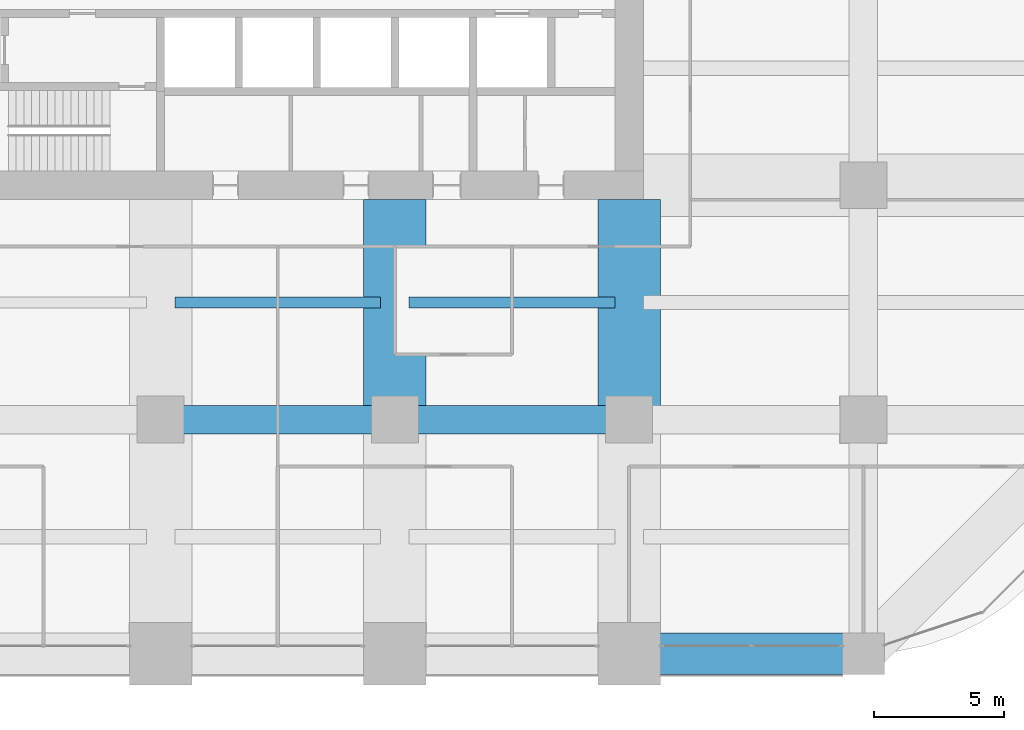
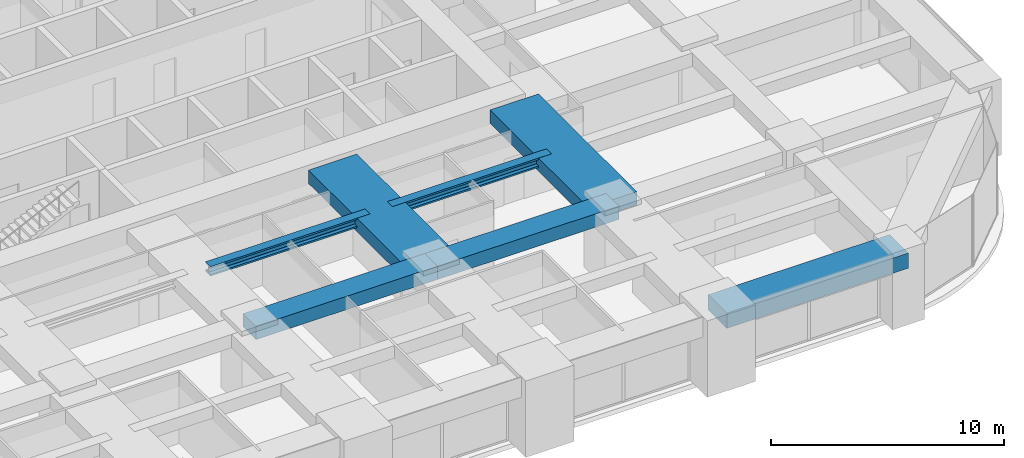
# One storey, part 15 of 42: 7 beams.
"""IFC4 building model written with IfcOpenShell, lengths in metres."""

from ifc_helpers import new_model, si_unit, direction, frame, origin, origin_2d, place, context, subcontext, project, spatial, rectangle, i_section, extrude, material, material_profile, profile_set, type_object, element, save


model = new_model("IFC4")

# Units and contexts
model_context = context("Model", 3, precision=1e-05, world=origin(), true_north=direction((0.0, 1.0)))
body_context = subcontext(model_context, "Body", "Model", "MODEL_VIEW")
ifc_project = project(units=[si_unit("LENGTHUNIT", "METRE"), si_unit("AREAUNIT", "SQUARE_METRE"), si_unit("VOLUMEUNIT", "CUBIC_METRE"), si_unit("PLANEANGLEUNIT", "RADIAN"), si_unit("MASSUNIT", "GRAM", prefix="KILO")], contexts=[model_context])

# Site, building, storey
site_placement = place(None, origin())
site = spatial("IfcSite", under=ifc_project, at=site_placement, CompositionType="ELEMENT")
building_placement = place(site_placement, origin())
building = spatial("IfcBuilding", under=site, at=building_placement, Name="Zorevar Civic Tower", CompositionType="ELEMENT")
storey_placement = place(building_placement, frame((0.0, 0.0, 149.0)))
storey = spatial("IfcBuildingStorey", under=building, at=storey_placement, Name="L36", CompositionType="ELEMENT", Elevation=149.0)

# Beams
ifc_material_1 = material(Name="Concrete C50/60", Category="concrete")
ifc_material_profile_1 = material_profile(ifc_material_1, rectangle(XDim=1.10009765625, YDim=0.699951171875, at=origin_2d()), Name="RC 1100x700")
ifc_profile_set_1 = profile_set([ifc_material_profile_1], Name="Concrete C50/60")
beam_type_1 = type_object("IfcBeamType", Name="Beam RC 1100x700", PredefinedType="BEAM", material=ifc_profile_set_1)
for number, where, z_axis, x_axis, name in (
    (1, (27.0, 9.0, 3.39990234375), (1.0, 0.0, 0.0), (0.0, 1.0, 0.0), "Girder L37"),
    (2, (36.0, 9.0, 3.39990234375), (1.0, 0.0, 0.0), (0.0, 1.0, 0.0), "Girder L37"),
):
    element("IfcBeam", number, at=place(storey_placement, frame(where, z_axis=z_axis, x_axis=x_axis)), inside=storey, type_object=beam_type_1, Name=name, PredefinedType="BEAM", context=body_context, shape_type="SweptSolid", body=[
        extrude(rectangle(XDim=1.10009765625, YDim=0.699951171875, at=origin_2d()), origin(), (0.0, 0.0, 1.0), 9.0),
    ])
ifc_material_2 = material(Name="Concrete C50/60", Category="concrete")
ifc_material_profile_2 = material_profile(ifc_material_2, rectangle(XDim=2.39990234375, YDim=0.699951171875, at=origin_2d()), Name="RC 2400x700")
ifc_profile_set_2 = profile_set([ifc_material_profile_2], Name="Concrete C50/60")
beam_type_2 = type_object("IfcBeamType", Name="Beam RC 2400x700", PredefinedType="BEAM", material=ifc_profile_set_2)
for number, where, z_axis, x_axis, name in (
    (3, (36.0, 9.0, 3.39990234375), (0.0, 1.0, 0.0), (-1.0, 0.0, 0.0), "Girder L37"),
    (4, (45.0, 9.0, 3.39990234375), (0.0, 1.0, 0.0), (-1.0, 0.0, 0.0), "Girder L37"),
):
    element("IfcBeam", number, at=place(storey_placement, frame(where, z_axis=z_axis, x_axis=x_axis)), inside=storey, type_object=beam_type_2, Name=name, PredefinedType="BEAM", context=body_context, shape_type="SweptSolid", body=[
        extrude(rectangle(XDim=2.39990234375, YDim=0.699951171875, at=origin_2d()), origin(), (0.0, 0.0, 1.0), 8.449951171875),
    ])
ifc_material_3 = material(Name="Steel S460M (HISTAR 460)", Category="steel")
ifc_material_profile_3 = material_profile(ifc_material_3, i_section(OverallWidth=0.431884765625, OverallDepth=0.498046875, WebThickness=0.0556640625, FlangeThickness=0.0888671875, FilletRadius=0.014892578125, at=origin_2d()), Name="HD 400x744")
ifc_profile_set_3 = profile_set([ifc_material_profile_3], Name="Steel S460M (HISTAR 460)")
beam_type_3 = type_object("IfcBeamType", Name="Core bay beam HD 400x744", PredefinedType="BEAM", material=ifc_profile_set_3)
for number, where, z_axis, x_axis, name in (
    (5, (27.550048828125, 13.5, 3.5009765625), (1.0, 0.0, 0.0), (0.0, 1.0, 0.0), "Secondary beam L37"),
    (6, (36.550048828125, 13.5, 3.5009765625), (1.0, 0.0, 0.0), (0.0, 1.0, 0.0), "Secondary beam L37"),
):
    element("IfcBeam", number, at=place(storey_placement, frame(where, z_axis=z_axis, x_axis=x_axis)), inside=storey, type_object=beam_type_3, Name=name, PredefinedType="BEAM", context=body_context, shape_type="SweptSolid", body=[
        extrude(i_section(OverallWidth=0.431884765625, OverallDepth=0.498046875, WebThickness=0.0556640625, FlangeThickness=0.0888671875, FilletRadius=0.014892578125, at=origin_2d()), origin(), (0.0, 0.0, 1.0), 7.89990234375),
    ])
ifc_material_4 = material(Name="Concrete C50/60", Category="concrete")
ifc_material_profile_4 = material_profile(ifc_material_4, rectangle(XDim=1.60009765625, YDim=0.800048828125, at=origin_2d()), Name="RC 1600x800")
ifc_profile_set_4 = profile_set([ifc_material_profile_4], Name="Concrete C50/60")
beam_type_4 = type_object("IfcBeamType", Name="Edge beam RC 1600x800", PredefinedType="SPANDREL", material=ifc_profile_set_4)
beam_placement = place(storey_placement, frame((45.0, 0.0, 3.35009765625), z_axis=(1.0, 0.0, 0.0), x_axis=(0.0, 1.0, 0.0)))
element("IfcBeam", 7, at=beam_placement, inside=storey, type_object=beam_type_4, Name="Edge beam L37", PredefinedType="SPANDREL", context=body_context, shape_type="SweptSolid", body=[
    extrude(rectangle(XDim=1.60009765625, YDim=0.800048828125, at=origin_2d()), origin(), (0.0, 0.0, 1.0), 9.0),
])

save(model, "model.ifc")
